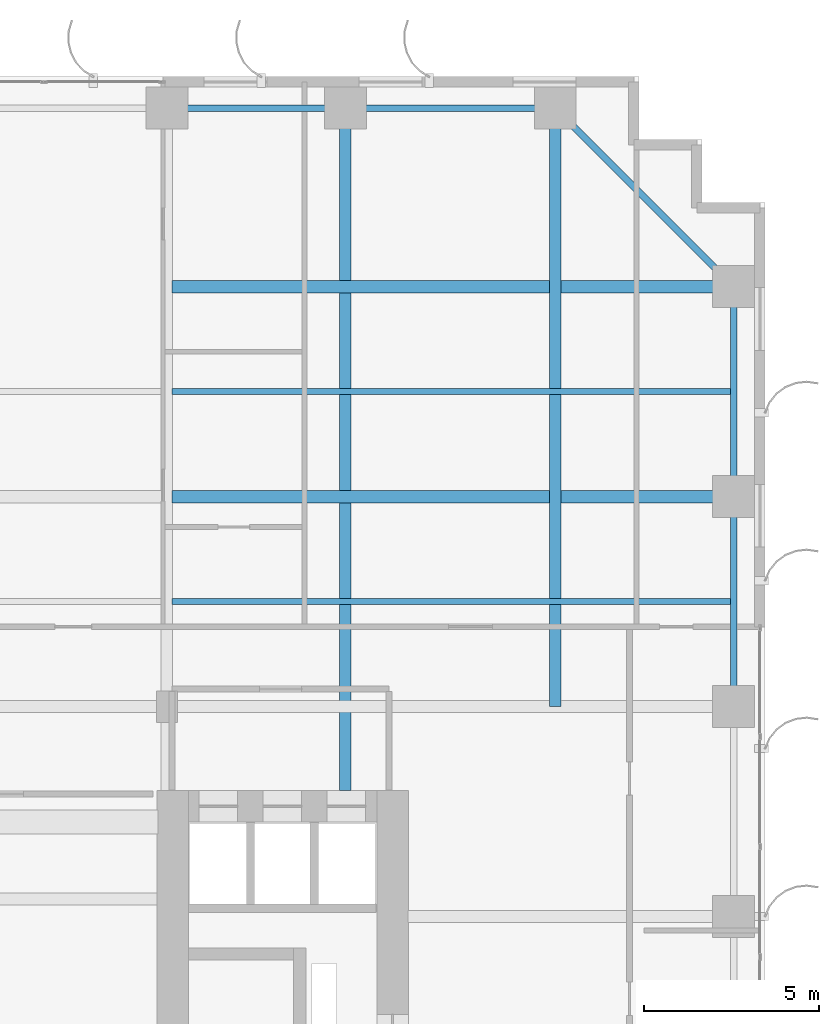
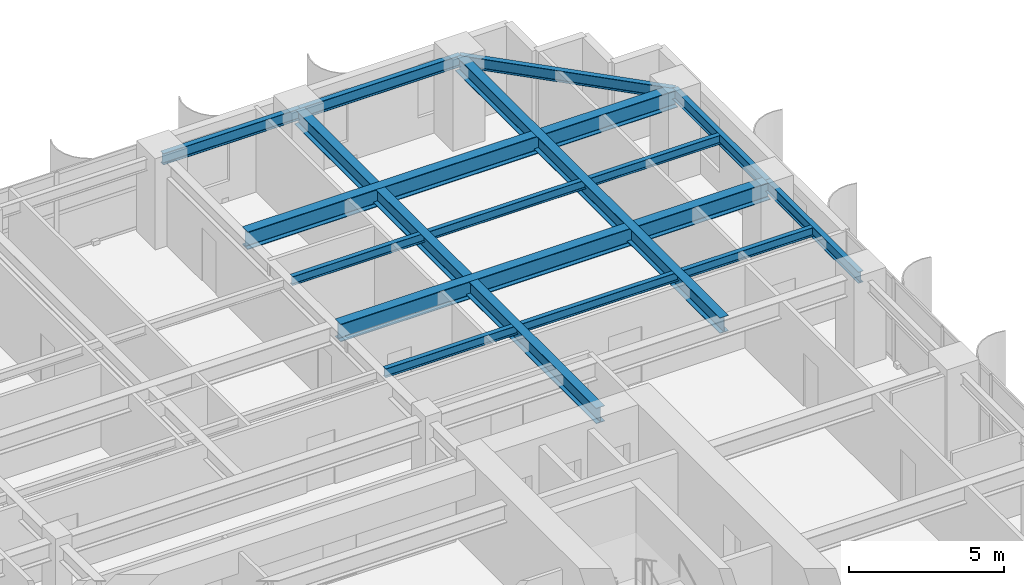
# One storey, part 12 of 23: 11 beams.
"""IFC4 building model written with IfcOpenShell, lengths in metres."""

from ifc_helpers import new_model, si_unit, direction, frame, origin, origin_2d, place, context, subcontext, project, spatial, i_section, extrude, source, transform, mapped, material, material_profile, profile_set, type_object, element, save


model = new_model("IFC4")

# Units and contexts
model_context = context("Model", 3, precision=1e-05, world=origin(), true_north=direction((0.0, 1.0)))
body_context = subcontext(model_context, "Body", "Model", "MODEL_VIEW")
ifc_project = project(units=[si_unit("LENGTHUNIT", "METRE"), si_unit("AREAUNIT", "SQUARE_METRE"), si_unit("VOLUMEUNIT", "CUBIC_METRE"), si_unit("PLANEANGLEUNIT", "RADIAN"), si_unit("MASSUNIT", "GRAM", prefix="KILO")], contexts=[model_context])

# Site, building, storey
site_placement = place(None, origin())
site = spatial("IfcSite", under=ifc_project, at=site_placement, CompositionType="ELEMENT")
building_placement = place(site_placement, origin())
building = spatial("IfcBuilding", under=site, at=building_placement, Name="Khoralis Quay Care Tower", CompositionType="ELEMENT")
storey_placement = place(building_placement, frame((0.0, 0.0, 72.89990234375)))
storey = spatial("IfcBuildingStorey", under=building, at=storey_placement, Name="L19", CompositionType="ELEMENT", Elevation=72.89990234375)

# Beams
ifc_material = material(Name="Steel S355", Category="steel")
ifc_material_profile_1 = material_profile(ifc_material, i_section(OverallWidth=0.18994140625, OverallDepth=0.449951171875, WebThickness=0.009521484375, FlangeThickness=0.0146484375, FilletRadius=0.02099609375, at=origin_2d()), Name="Steel S355")
ifc_profile_set_1 = profile_set([ifc_material_profile_1], Name="Steel S355")
beam_type_1 = type_object("IfcBeamType", Name="BM-IPE450", PredefinedType="SPANDREL", material=ifc_profile_set_1)
shared_shape_1 = source(origin(), body_context, "Body", "SweptSolid", [
    extrude(i_section(OverallWidth=0.18994140625, OverallDepth=0.449951171875, WebThickness=0.009521484375, FlangeThickness=0.0146484375, FilletRadius=0.02099609375, at=origin_2d()), origin(), (0.0, 0.0, 1.0), 6.0),
])
for number, where, z_axis, x_axis, name in (
    (1, (36.0, 47.10009765625, 3.05517578125), (1.0, 0.0, 0.0), (0.0, 1.0, 0.0), "BM-TSP-L19-12"),
    (2, (47.10009765625, 30.0, 3.05517578125), (0.0, 1.0, 0.0), (-1.0, 0.0, 0.0), "BM-TSP-L19-23"),
    (3, (47.10009765625, 36.0, 3.05517578125), (0.0, 1.0, 0.0), (-1.0, 0.0, 0.0), "BM-TSP-L19-24"),
):
    element("IfcBeam", number, at=place(storey_placement, frame(where, z_axis=z_axis, x_axis=x_axis)), inside=storey, type_object=beam_type_1, Name=name, PredefinedType="SPANDREL", context=body_context, shape_type="MappedRepresentation", body=[
        mapped(shared_shape_1, transform((0.0, 0.0, 0.0), scale=1.0)),
    ])
shared_shape_2 = source(origin(), body_context, "Body", "SweptSolid", [
    extrude(i_section(OverallWidth=0.18994140625, OverallDepth=0.449951171875, WebThickness=0.009521484375, FlangeThickness=0.0146484375, FilletRadius=0.02099609375, at=origin_2d()), origin(), (0.0, 0.0, 1.0), 5.10009765625),
])
beam_1_placement = place(storey_placement, frame((30.89990234375, 47.10009765625, 3.05517578125), z_axis=(1.0, 0.0, 0.0), x_axis=(0.0, 1.0, 0.0)))
element("IfcBeam", 4, at=beam_1_placement, inside=storey, type_object=beam_type_1, Name="BM-TSP-L19-11", PredefinedType="SPANDREL", context=body_context, shape_type="MappedRepresentation", body=[
    mapped(shared_shape_2, transform((0.0, 0.0, 0.0), scale=1.0)),
])
shared_shape_3 = source(origin(), body_context, "Body", "SweptSolid", [
    extrude(i_section(OverallWidth=0.18994140625, OverallDepth=0.449951171875, WebThickness=0.009521484375, FlangeThickness=0.0146484375, FilletRadius=0.02099609375, at=origin_2d()), origin(), (0.0, 0.0, 1.0), 7.212646484375),
])
beam_2_placement = place(storey_placement, frame((42.0, 47.10009765625, 3.05517578125), z_axis=(0.707106781187, -0.707106781187, 0.0), x_axis=(0.707106781187, 0.707106781187, 0.0)))
element("IfcBeam", 5, at=beam_2_placement, inside=storey, type_object=beam_type_1, Name="BM-TCR-L19-28", PredefinedType="SPANDREL", context=body_context, shape_type="MappedRepresentation", body=[
    mapped(shared_shape_3, transform((0.0, 0.0, 0.0), scale=1.0)),
])
ifc_material_profile_2 = material_profile(ifc_material, i_section(OverallWidth=0.35498046875, OverallDepth=0.695068359375, WebThickness=0.015380859375, FlangeThickness=0.02490234375, FilletRadius=0.02001953125, at=origin_2d()), Name="Steel S355")
ifc_profile_set_2 = profile_set([ifc_material_profile_2], Name="Steel S355")
beam_type_2 = type_object("IfcBeamType", Name="BM-W690X217", PredefinedType="BEAM", material=ifc_profile_set_2)
shared_shape_4 = source(origin(), body_context, "Body", "SweptSolid", [
    extrude(i_section(OverallWidth=0.35498046875, OverallDepth=0.695068359375, WebThickness=0.015380859375, FlangeThickness=0.02490234375, FilletRadius=0.02001953125, at=origin_2d()), origin(), (0.0, 0.0, 1.0), 16.049560546875),
])
for number, where, z_axis, x_axis, name in (
    (6, (31.050537109375, 36.0, 2.9326171875), (1.0, 0.0, 0.0), (0.0, 1.0, 0.0), "BM-TGXE-L19-360"),
    (7, (31.050537109375, 42.0, 2.9326171875), (1.0, 0.0, 0.0), (0.0, 1.0, 0.0), "BM-TGXE-L19-420"),
):
    element("IfcBeam", number, at=place(storey_placement, frame(where, z_axis=z_axis, x_axis=x_axis)), inside=storey, type_object=beam_type_2, Name=name, PredefinedType="BEAM", context=body_context, shape_type="MappedRepresentation", body=[
        mapped(shared_shape_4, transform((0.0, 0.0, 0.0), scale=1.0)),
    ])
ifc_material_profile_3 = material_profile(ifc_material, i_section(OverallWidth=0.324951171875, OverallDepth=0.615966796875, WebThickness=0.013916015625, FlangeThickness=0.021484375, FilletRadius=0.01806640625, at=origin_2d()), Name="Steel S355")
ifc_profile_set_3 = profile_set([ifc_material_profile_3], Name="Steel S355")
beam_type_3 = type_object("IfcBeamType", Name="BM-W610X174", PredefinedType="BEAM", material=ifc_profile_set_3)
shared_shape_5 = source(origin(), body_context, "Body", "SweptSolid", [
    extrude(i_section(OverallWidth=0.324951171875, OverallDepth=0.615966796875, WebThickness=0.013916015625, FlangeThickness=0.021484375, FilletRadius=0.01806640625, at=origin_2d()), origin(), (0.0, 0.0, 1.0), 17.10009765625),
])
beam_3_placement = place(storey_placement, frame((42.0, 30.0, 2.97216796875), z_axis=(0.0, 1.0, 0.0), x_axis=(-1.0, 0.0, 0.0)))
element("IfcBeam", 8, at=beam_3_placement, inside=storey, type_object=beam_type_3, Name="BM-TGYN-L19-420", PredefinedType="BEAM", context=body_context, shape_type="MappedRepresentation", body=[
    mapped(shared_shape_5, transform((0.0, 0.0, 0.0), scale=1.0)),
])
shared_shape_6 = source(origin(), body_context, "Body", "SweptSolid", [
    extrude(i_section(OverallWidth=0.324951171875, OverallDepth=0.615966796875, WebThickness=0.013916015625, FlangeThickness=0.021484375, FilletRadius=0.01806640625, at=origin_2d()), origin(), (0.0, 0.0, 1.0), 19.502197265625),
])
beam_4_placement = place(storey_placement, frame((36.0, 27.597900390625, 2.97216796875), z_axis=(0.0, 1.0, 0.0), x_axis=(-1.0, 0.0, 0.0)))
element("IfcBeam", 9, at=beam_4_placement, inside=storey, type_object=beam_type_3, Name="BM-TGYN-L19-360", PredefinedType="BEAM", context=body_context, shape_type="MappedRepresentation", body=[
    mapped(shared_shape_6, transform((0.0, 0.0, 0.0), scale=1.0)),
])
ifc_material_profile_4 = material_profile(ifc_material, i_section(OverallWidth=0.1708984375, OverallDepth=0.35498046875, WebThickness=0.007080078125, FlangeThickness=0.01171875, FilletRadius=0.012939453125, at=origin_2d()), Name="Steel S355")
ifc_profile_set_4 = profile_set([ifc_material_profile_4], Name="Steel S355")
beam_type_4 = type_object("IfcBeamType", Name="BM-W360X51", PredefinedType="JOIST", material=ifc_profile_set_4)
shared_shape_7 = source(origin(), body_context, "Body", "SweptSolid", [
    extrude(i_section(OverallWidth=0.1708984375, OverallDepth=0.35498046875, WebThickness=0.007080078125, FlangeThickness=0.01171875, FilletRadius=0.012939453125, at=origin_2d()), origin(), (0.0, 0.0, 1.0), 15.968505859375),
])
for number, where, z_axis, x_axis, name in (
    (10, (31.050537109375, 33.0, 3.1025390625), (1.0, 0.0, 0.0), (0.0, 1.0, 0.0), "BM-TJS-L19-33"),
    (11, (31.050537109375, 39.0, 3.1025390625), (1.0, 0.0, 0.0), (0.0, 1.0, 0.0), "BM-TJS-L19-36"),
):
    element("IfcBeam", number, at=place(storey_placement, frame(where, z_axis=z_axis, x_axis=x_axis)), inside=storey, type_object=beam_type_4, Name=name, PredefinedType="JOIST", context=body_context, shape_type="MappedRepresentation", body=[
        mapped(shared_shape_7, transform((0.0, 0.0, 0.0), scale=1.0)),
    ])

save(model, "model.ifc")
